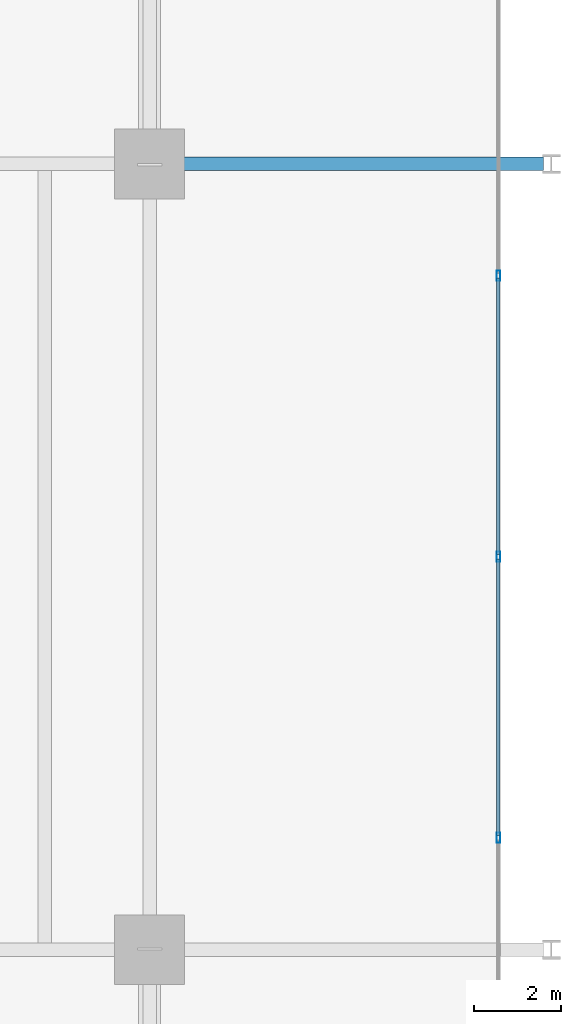
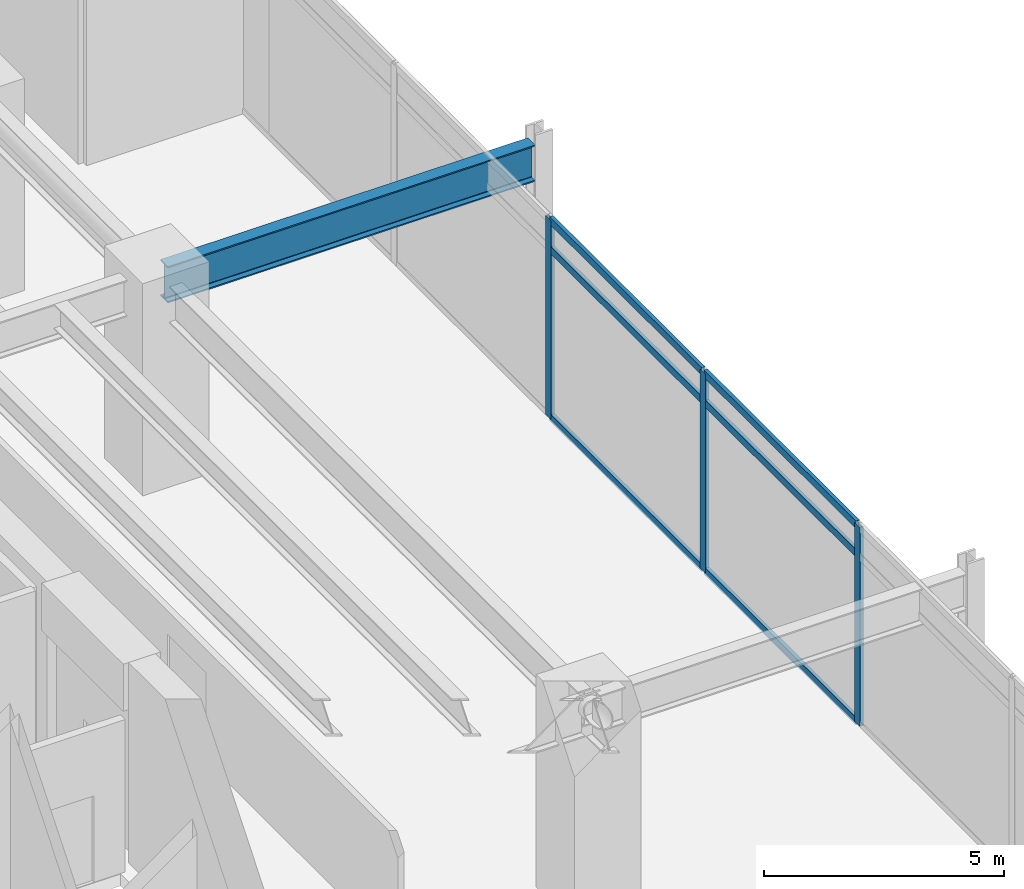
# One storey, part 11 of 23: 9 members, 1 beam, 1 element without a shape of its own.
"""IFC4 building model written with IfcOpenShell, lengths in metres."""

from ifc_helpers import new_model, si_unit, direction, frame, origin, origin_2d, place, context, subcontext, project, spatial, hollow_rectangle, i_section, extrude, material, material_profile, profile_set, type_object, element, aggregate, save


model = new_model("IFC4")

# Units and contexts
model_context = context("Model", 3, precision=1e-05, world=origin(), true_north=direction((0.0, 1.0)))
body_context = subcontext(model_context, "Body", "Model", "MODEL_VIEW")
ifc_project = project(units=[si_unit("LENGTHUNIT", "METRE"), si_unit("AREAUNIT", "SQUARE_METRE"), si_unit("VOLUMEUNIT", "CUBIC_METRE"), si_unit("PLANEANGLEUNIT", "RADIAN"), si_unit("MASSUNIT", "GRAM", prefix="KILO")], contexts=[model_context])

# Site, building, storey
site_placement = place(None, origin())
site = spatial("IfcSite", under=ifc_project, at=site_placement, CompositionType="ELEMENT")
building_placement = place(site_placement, origin())
building = spatial("IfcBuilding", under=site, at=building_placement, Name="Kovane Verandah Tower", CompositionType="ELEMENT")
storey_placement = place(building_placement, frame((0.0, 0.0, 107.60009765625)))
storey = spatial("IfcBuildingStorey", under=building, at=storey_placement, Name="L25", CompositionType="ELEMENT", Elevation=107.60009765625)

# Beam
ifc_material_1 = material(Name="Steel S460", Category="steel")
ifc_material_profile_1 = material_profile(ifc_material_1, i_section(OverallWidth=0.3076171875, OverallDepth=0.926513671875, WebThickness=0.01953125, FlangeThickness=0.031982421875, FilletRadius=0.01904296875, at=origin_2d()), Name="UB914x305x289")
ifc_profile_set_1 = profile_set([ifc_material_profile_1], Name="Steel S460")
beam_type = type_object("IfcBeamType", Name="BM-UB914x289", PredefinedType="BEAM", material=ifc_profile_set_1)
beam_placement = place(storey_placement, frame((58.580078125, 36.5, 4.63671875), z_axis=(1.0, 0.0, 0.0), x_axis=(0.0, 1.0, 0.0)))
element("IfcBeam", 1, at=beam_placement, inside=storey, type_object=beam_type, Name="L25 Primary Tower Girder G-VE2", PredefinedType="BEAM", context=body_context, shape_type="SweptSolid", body=[
    extrude(i_section(OverallWidth=0.3076171875, OverallDepth=0.926513671875, WebThickness=0.01953125, FlangeThickness=0.031982421875, FilletRadius=0.01904296875, at=origin_2d()), origin(), (0.0, 0.0, 1.0), 8.83984375),
])

# Curtain wall, members
ifc_material_2 = material(Name="Champagne Anodised Aluminium Frame with Low-E Clear Laminated Glass", Category="aluminium")
curtain_wall_type = type_object("IfcCurtainWallType", Name="CW-SYS-02-LOW", PredefinedType="NOTDEFINED", material=ifc_material_2)
curtain_wall_placement = place(storey_placement, origin())
curtain_wall = element("IfcCurtainWall", 2, at=curtain_wall_placement, inside=storey, type_object=curtain_wall_type, Name="L25 E Unitised Curtain Wall", PredefinedType="NOTDEFINED")
ifc_material_3 = material(Name="Champagne Anodised Aluminium 6063-T6", Category="aluminium")
ifc_material_profile_2 = material_profile(ifc_material_3, hollow_rectangle(XDim=0.0849609375, YDim=0.22998046875, WallThickness=0.00390625, at=origin_2d()), Name="AL85x230x4")
ifc_profile_set_2 = profile_set([ifc_material_profile_2], Name="Champagne Anodised Aluminium 6063-T6")
member_type_1 = type_object("IfcMemberType", Name="CW-MUL-85x230", PredefinedType="MULLION", material=ifc_profile_set_2)
member_1_placement = place(storey_placement, frame((66.386962890625, 21.06298828125, 0.02001953125), z_axis=(0.0, 0.0, 1.0), x_axis=(1.0, 0.0, 0.0)))
member_1 = element("IfcMember", 3, at=member_1_placement, type_object=member_type_1, Name="L25 E Unitised Curtain Wall Mullion 3", PredefinedType="MULLION", context=body_context, shape_type="SweptSolid", body=[
    extrude(hollow_rectangle(XDim=0.0849609375, YDim=0.22998046875, WallThickness=0.00390625, at=origin_2d()), origin(), (0.0, 0.0, 1.0), 5.059814453125),
])
member_2_placement = place(storey_placement, frame((66.386962890625, 27.5, 0.02001953125), z_axis=(0.0, 0.0, 1.0), x_axis=(1.0, 0.0, 0.0)))
member_2 = element("IfcMember", 4, at=member_2_placement, type_object=member_type_1, Name="L25 E Unitised Curtain Wall Mullion 4", PredefinedType="MULLION", context=body_context, shape_type="SweptSolid", body=[
    extrude(hollow_rectangle(XDim=0.0849609375, YDim=0.22998046875, WallThickness=0.00390625, at=origin_2d()), origin(), (0.0, 0.0, 1.0), 5.059814453125),
])
member_3_placement = place(storey_placement, frame((66.386962890625, 33.93701171875, 0.02001953125), z_axis=(0.0, 0.0, 1.0), x_axis=(1.0, 0.0, 0.0)))
member_3 = element("IfcMember", 5, at=member_3_placement, type_object=member_type_1, Name="L25 E Unitised Curtain Wall Mullion 5", PredefinedType="MULLION", context=body_context, shape_type="SweptSolid", body=[
    extrude(hollow_rectangle(XDim=0.0849609375, YDim=0.22998046875, WallThickness=0.00390625, at=origin_2d()), origin(), (0.0, 0.0, 1.0), 5.059814453125),
])
ifc_material_profile_3 = material_profile(ifc_material_3, hollow_rectangle(XDim=0.0849609375, YDim=0.18994140625, WallThickness=0.00390625, at=origin_2d()), Name="AL85x190x4")
ifc_profile_set_3 = profile_set([ifc_material_profile_3], Name="Champagne Anodised Aluminium 6063-T6")
member_type_2 = type_object("IfcMemberType", Name="CW-TRN-85x190", PredefinedType="USERDEFINED", material=ifc_profile_set_3)
member_4_placement = place(storey_placement, frame((66.386962890625, 21.113037109375, 0.0498046875), z_axis=(0.0, 1.0, 0.0), x_axis=(-1.0, 0.0, 0.0)))
member_4 = element("IfcMember", 6, at=member_4_placement, type_object=member_type_2, Name="L25 E Unitised Curtain Wall Transom TB Bay 3", ObjectType="TRANSOM", PredefinedType="USERDEFINED", context=body_context, shape_type="SweptSolid", body=[
    extrude(hollow_rectangle(XDim=0.0849609375, YDim=0.18994140625, WallThickness=0.00390625, at=origin_2d()), origin(), (0.0, 0.0, 1.0), 6.3369140625),
])
member_5_placement = place(storey_placement, frame((66.386962890625, 21.113037109375, 4.31982421875), z_axis=(0.0, 1.0, 0.0), x_axis=(-1.0, 0.0, 0.0)))
member_5 = element("IfcMember", 7, at=member_5_placement, type_object=member_type_2, Name="L25 E Unitised Curtain Wall Transom TM Bay 3", ObjectType="TRANSOM", PredefinedType="USERDEFINED", context=body_context, shape_type="SweptSolid", body=[
    extrude(hollow_rectangle(XDim=0.0849609375, YDim=0.18994140625, WallThickness=0.00390625, at=origin_2d()), origin(), (0.0, 0.0, 1.0), 6.3369140625),
])
member_6_placement = place(storey_placement, frame((66.386962890625, 21.113037109375, 5.0498046875), z_axis=(0.0, 1.0, 0.0), x_axis=(-1.0, 0.0, 0.0)))
member_6 = element("IfcMember", 8, at=member_6_placement, type_object=member_type_2, Name="L25 E Unitised Curtain Wall Transom TT Bay 3", ObjectType="TRANSOM", PredefinedType="USERDEFINED", context=body_context, shape_type="SweptSolid", body=[
    extrude(hollow_rectangle(XDim=0.0849609375, YDim=0.18994140625, WallThickness=0.00390625, at=origin_2d()), origin(), (0.0, 0.0, 1.0), 6.3369140625),
])
member_7_placement = place(storey_placement, frame((66.386962890625, 27.550048828125, 0.0498046875), z_axis=(0.0, 1.0, 0.0), x_axis=(-1.0, 0.0, 0.0)))
member_7 = element("IfcMember", 9, at=member_7_placement, type_object=member_type_2, Name="L25 E Unitised Curtain Wall Transom TB Bay 4", ObjectType="TRANSOM", PredefinedType="USERDEFINED", context=body_context, shape_type="SweptSolid", body=[
    extrude(hollow_rectangle(XDim=0.0849609375, YDim=0.18994140625, WallThickness=0.00390625, at=origin_2d()), origin(), (0.0, 0.0, 1.0), 6.3369140625),
])
member_8_placement = place(storey_placement, frame((66.386962890625, 27.550048828125, 4.31982421875), z_axis=(0.0, 1.0, 0.0), x_axis=(-1.0, 0.0, 0.0)))
member_8 = element("IfcMember", 10, at=member_8_placement, type_object=member_type_2, Name="L25 E Unitised Curtain Wall Transom TM Bay 4", ObjectType="TRANSOM", PredefinedType="USERDEFINED", context=body_context, shape_type="SweptSolid", body=[
    extrude(hollow_rectangle(XDim=0.0849609375, YDim=0.18994140625, WallThickness=0.00390625, at=origin_2d()), origin(), (0.0, 0.0, 1.0), 6.3369140625),
])
member_9_placement = place(storey_placement, frame((66.386962890625, 27.550048828125, 5.0498046875), z_axis=(0.0, 1.0, 0.0), x_axis=(-1.0, 0.0, 0.0)))
member_9 = element("IfcMember", 11, at=member_9_placement, type_object=member_type_2, Name="L25 E Unitised Curtain Wall Transom TT Bay 4", ObjectType="TRANSOM", PredefinedType="USERDEFINED", context=body_context, shape_type="SweptSolid", body=[
    extrude(hollow_rectangle(XDim=0.0849609375, YDim=0.18994140625, WallThickness=0.00390625, at=origin_2d()), origin(), (0.0, 0.0, 1.0), 6.3369140625),
])
aggregate(curtain_wall, [member_1, member_2, member_3, member_4, member_5, member_6, member_7, member_8, member_9])

save(model, "model.ifc")
